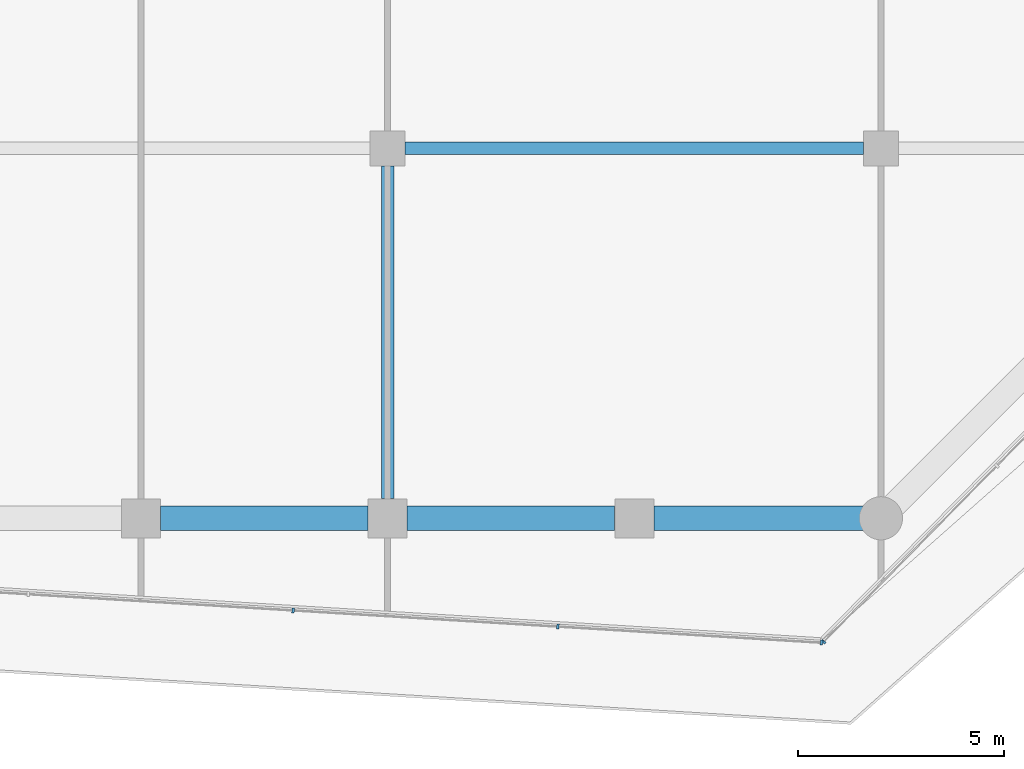
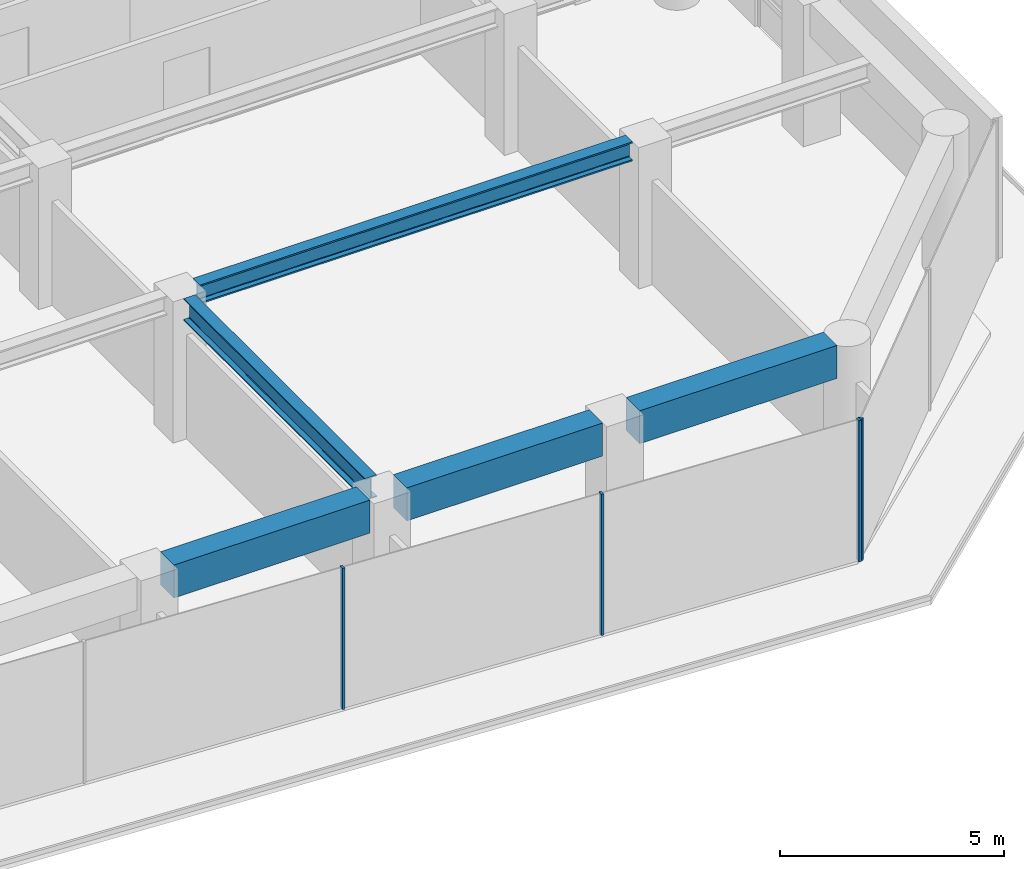
# One storey, part 8 of 27: 5 beams, 4 members, 2 elements without a shape of their own.
"""IFC4 building model written with IfcOpenShell, lengths in metres."""

from ifc_helpers import new_model, si_unit, direction, frame, origin, origin_2d, place, context, subcontext, project, spatial, rectangle, i_section, extrude, material, layer, layer_set, material_profile, profile_set, type_object, element, aggregate, save


model = new_model("IFC4")

# Units and contexts
model_context = context("Model", 3, precision=1e-05, world=origin(), true_north=direction((0.0, 1.0)))
body_context = subcontext(model_context, "Body", "Model", "MODEL_VIEW")
ifc_project = project(units=[si_unit("LENGTHUNIT", "METRE"), si_unit("AREAUNIT", "SQUARE_METRE"), si_unit("VOLUMEUNIT", "CUBIC_METRE"), si_unit("PLANEANGLEUNIT", "RADIAN"), si_unit("MASSUNIT", "GRAM", prefix="KILO")], contexts=[model_context])

# Site, building, storey
site_placement = place(None, origin())
site = spatial("IfcSite", under=ifc_project, at=site_placement, CompositionType="ELEMENT")
building_placement = place(site_placement, origin())
building = spatial("IfcBuilding", under=site, at=building_placement, Name="Welwitschia Terrace Campus", CompositionType="ELEMENT")
storey_placement = place(building_placement, frame((0.0, 0.0, 37.39990234375)))
storey = spatial("IfcBuildingStorey", under=building, at=storey_placement, Name="L08", CompositionType="ELEMENT", Elevation=37.39990234375)

# Beam
ifc_material_1 = material(Name="Steel S355", Category="steel")
ifc_material_profile_1 = material_profile(ifc_material_1, i_section(OverallWidth=0.305908203125, OverallDepth=0.52392578125, WebThickness=0.02099609375, FlangeThickness=0.0400390625, FilletRadius=0.027099609375, at=origin_2d()))
ifc_profile_set_1 = profile_set([ifc_material_profile_1], Name="Steel S355")
beam_type_1 = type_object("IfcBeamType", Name="Interior girder HE 500 M", PredefinedType="BEAM", material=ifc_profile_set_1)
beam_1_placement = place(storey_placement, frame((48.425537109375, 5.0, 3.588134765625), z_axis=(1.0, 0.0, 0.0), x_axis=(0.0, 1.0, 0.0)))
element("IfcBeam", 1, at=beam_1_placement, inside=storey, type_object=beam_type_1, Name="Girder GB2", PredefinedType="BEAM", context=body_context, shape_type="SweptSolid", body=[
    extrude(i_section(OverallWidth=0.305908203125, OverallDepth=0.52392578125, WebThickness=0.02099609375, FlangeThickness=0.0400390625, FilletRadius=0.027099609375, at=origin_2d()), origin(), (0.0, 0.0, 1.0), 11.14892578125),
])

# Curtain wall, members
ifc_material_2 = material(Name="Bronze anodised aluminium", Category="aluminium")
ifc_layer = layer(ifc_material_2, 0.1201171875)
ifc_layer_set = layer_set([ifc_layer], Name="Bronze anodised aluminium")
curtain_wall_type = type_object("IfcCurtainWallType", Name="Curtain wall CW2 tower 6000", PredefinedType="NOTDEFINED", material=ifc_layer_set)
curtain_wall_1_placement = place(storey_placement, origin())
curtain_wall_1 = element("IfcCurtainWall", 2, at=curtain_wall_1_placement, inside=storey, type_object=curtain_wall_type, Name="CW L08.4.0", PredefinedType="NOTDEFINED")
ifc_material_3 = material(Name="Bronze anodised aluminium", Category="aluminium")
ifc_material_profile_2 = material_profile(ifc_material_3, rectangle(XDim=0.1201171875, YDim=0.06005859375, at=origin_2d()))
ifc_profile_set_2 = profile_set([ifc_material_profile_2], Name="Bronze anodised aluminium")
member_type = type_object("IfcMemberType", Name="Mullion 60x120", PredefinedType="MULLION", material=ifc_profile_set_2)
member_1_placement = place(storey_placement, frame((45.69970703125, -6.240234375, 0.0), z_axis=(0.0, 0.0, 1.0), x_axis=(0.061048539535, 0.998134798422, 0.0)))
member_1 = element("IfcMember", 3, at=member_1_placement, type_object=member_type, Name="Mullion L08.4.0.3", PredefinedType="MULLION", context=body_context, shape_type="SweptSolid", body=[
    extrude(rectangle(XDim=0.1201171875, YDim=0.06005859375, at=origin_2d()), origin(), (0.0, 0.0, 1.0), 3.85009765625),
])
member_2_placement = place(storey_placement, frame((52.142333984375, -6.63427734375, 0.0), z_axis=(0.0, 0.0, 1.0), x_axis=(0.061048539535, 0.998134798422, 0.0)))
member_2 = element("IfcMember", 4, at=member_2_placement, type_object=member_type, Name="Mullion L08.4.0.4", PredefinedType="MULLION", context=body_context, shape_type="SweptSolid", body=[
    extrude(rectangle(XDim=0.1201171875, YDim=0.06005859375, at=origin_2d()), origin(), (0.0, 0.0, 1.0), 3.85009765625),
])
member_3_placement = place(storey_placement, frame((58.55517578125, -7.0263671875, 0.0), z_axis=(0.0, 0.0, 1.0), x_axis=(0.061048539535, 0.998134798422, 0.0)))
member_3 = element("IfcMember", 5, at=member_3_placement, type_object=member_type, Name="Mullion L08.4.0.5", PredefinedType="MULLION", context=body_context, shape_type="SweptSolid", body=[
    extrude(rectangle(XDim=0.1201171875, YDim=0.06005859375, at=origin_2d()), origin(), (0.0, 0.0, 1.0), 3.85009765625),
])
aggregate(curtain_wall_1, [member_1, member_2, member_3])

# Curtain wall, member
curtain_wall_2_placement = place(storey_placement, origin())
curtain_wall_2 = element("IfcCurtainWall", 6, at=curtain_wall_2_placement, inside=storey, type_object=curtain_wall_type, Name="CW L08.5.0", PredefinedType="NOTDEFINED")
member_4_placement = place(storey_placement, frame((58.60595703125, -7.0068359375, 0.0), z_axis=(0.0, 0.0, 1.0), x_axis=(-0.712884742164, 0.701281216339, 0.0)))
member_4 = element("IfcMember", 7, at=member_4_placement, type_object=member_type, Name="Mullion L08.5.0.0", PredefinedType="MULLION", context=body_context, shape_type="SweptSolid", body=[
    extrude(rectangle(XDim=0.1201171875, YDim=0.06005859375, at=origin_2d()), origin(), (0.0, 0.0, 1.0), 3.85009765625),
])
aggregate(curtain_wall_2, [member_4])

# Beams
ifc_material_4 = material(Name="Steel S355", Category="steel")
ifc_material_profile_3 = material_profile(ifc_material_4, i_section(OverallWidth=0.300048828125, OverallDepth=0.60009765625, WebThickness=0.015380859375, FlangeThickness=0.030029296875, FilletRadius=0.027099609375, at=origin_2d()))
ifc_profile_set_3 = profile_set([ifc_material_profile_3], Name="Steel S355")
beam_type_2 = type_object("IfcBeamType", Name="Primary beam HE 600 B", PredefinedType="BEAM", material=ifc_profile_set_3)
beam_2_placement = place(storey_placement, frame((48.0, -3.5244140625, 3.550048828125), z_axis=(0.0, 1.0, 0.0), x_axis=(-1.0, 0.0, 0.0)))
element("IfcBeam", 8, at=beam_2_placement, inside=storey, type_object=beam_type_2, Name="Primary beam PB2", PredefinedType="BEAM", context=body_context, shape_type="SweptSolid", body=[
    extrude(i_section(OverallWidth=0.300048828125, OverallDepth=0.60009765625, WebThickness=0.015380859375, FlangeThickness=0.030029296875, FilletRadius=0.027099609375, at=origin_2d()), origin(), (0.0, 0.0, 1.0), 8.098876953125),
])
ifc_material_5 = material(Name="Concrete C60/75", Category="concrete")
ifc_material_profile_4 = material_profile(ifc_material_5, rectangle(XDim=0.60009765625, YDim=0.89990234375, at=origin_2d()))
ifc_profile_set_4 = profile_set([ifc_material_profile_4], Name="Concrete C60/75")
beam_type_3 = type_object("IfcBeamType", Name="Ring spandrel 600x900", PredefinedType="SPANDREL", material=ifc_profile_set_4)
for number, where, z_axis, x_axis, name in (
    (9, (42.4755859375, -4.0, 3.400146484375), (1.0, 0.0, 0.0), (0.0, 1.0, 0.0), "Spandrel SP2"),
    (10, (48.4755859375, -4.0, 3.400146484375), (1.0, 0.0, 0.0), (0.0, 1.0, 0.0), "Spandrel SP2"),
):
    element("IfcBeam", number, at=place(storey_placement, frame(where, z_axis=z_axis, x_axis=x_axis)), inside=storey, type_object=beam_type_3, Name=name, PredefinedType="SPANDREL", context=body_context, shape_type="SweptSolid", body=[
        extrude(rectangle(XDim=0.60009765625, YDim=0.89990234375, at=origin_2d()), origin(), (0.0, 0.0, 1.0), 5.048828125),
    ])
beam_3_placement = place(storey_placement, frame((54.4755859375, -4.0, 3.400146484375), z_axis=(1.0, 0.0, 0.0), x_axis=(0.0, 1.0, 0.0)))
element("IfcBeam", 11, at=beam_3_placement, inside=storey, type_object=beam_type_3, Name="Spandrel SP2", PredefinedType="SPANDREL", context=body_context, shape_type="SweptSolid", body=[
    extrude(rectangle(XDim=0.60009765625, YDim=0.89990234375, at=origin_2d()), origin(), (0.0, 0.0, 1.0), 5.093017578125),
])

save(model, "model.ifc")
